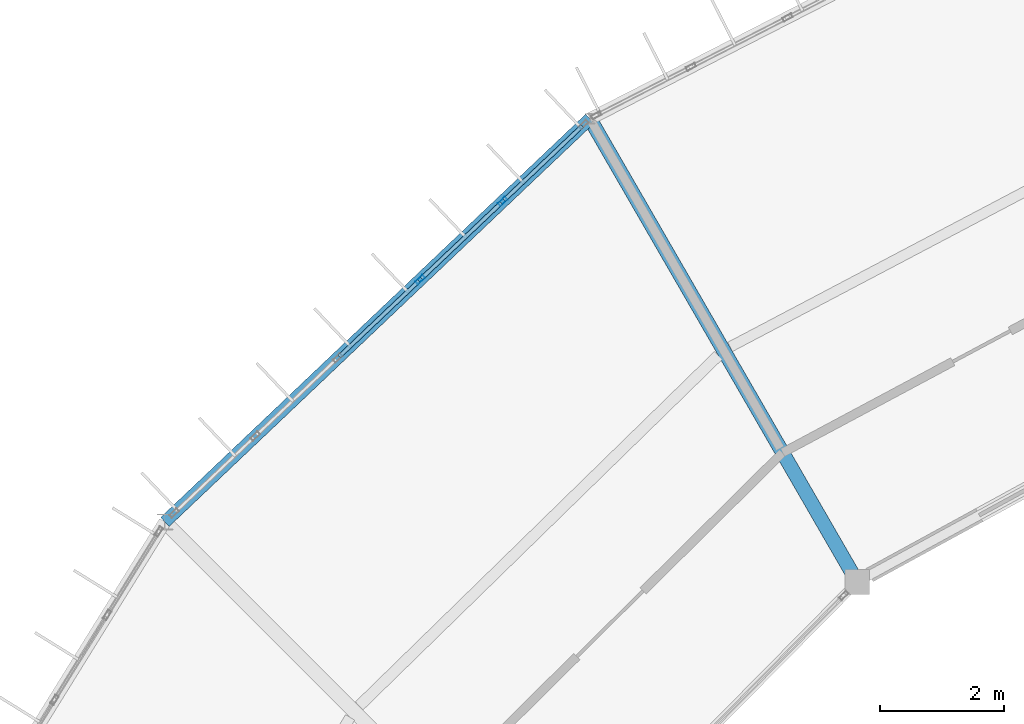
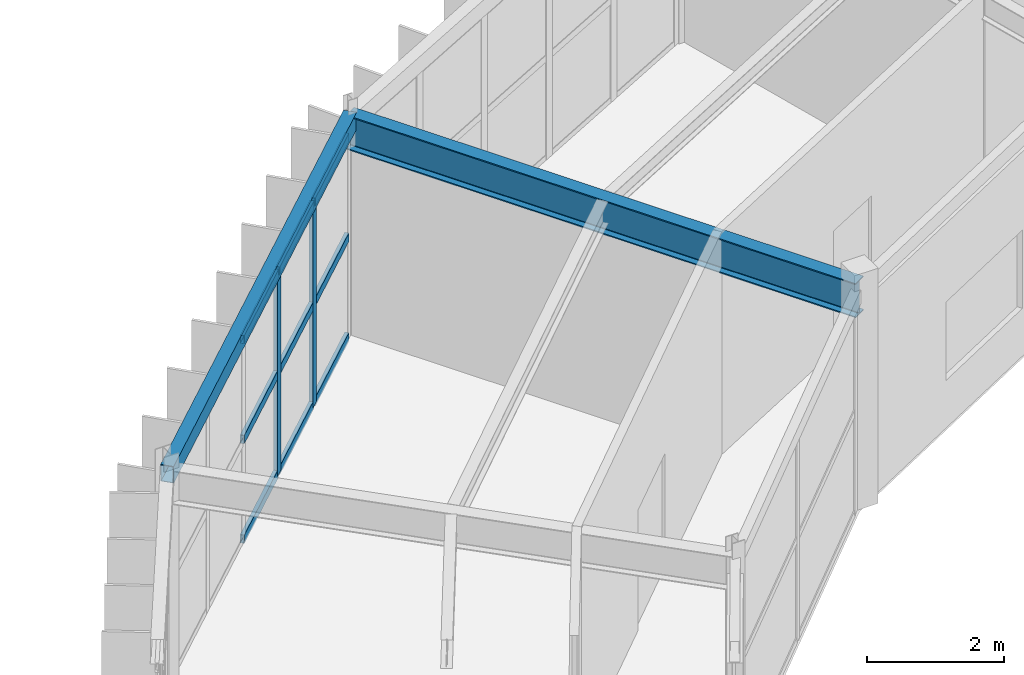
# One storey, part 89 of 157: 11 members, 2 beams, 1 element without a shape of its own.
"""IFC4 building model written with IfcOpenShell, lengths in metres."""

from ifc_helpers import new_model, si_unit, direction, frame, origin, origin_2d, place, context, subcontext, project, spatial, hollow_rectangle, i_section, extrude, material, material_profile, profile_set, type_object, element, aggregate, save


model = new_model("IFC4")

# Units and contexts
model_context = context("Model", 3, precision=1e-05, world=origin(), true_north=direction((0.0, 1.0)))
body_context = subcontext(model_context, "Body", "Model", "MODEL_VIEW")
ifc_project = project(units=[si_unit("LENGTHUNIT", "METRE"), si_unit("AREAUNIT", "SQUARE_METRE"), si_unit("VOLUMEUNIT", "CUBIC_METRE"), si_unit("PLANEANGLEUNIT", "RADIAN"), si_unit("MASSUNIT", "GRAM", prefix="KILO")], contexts=[model_context])

# Site, building, storey
site_placement = place(None, origin())
site = spatial("IfcSite", under=ifc_project, at=site_placement, CompositionType="ELEMENT")
building_placement = place(site_placement, origin())
building = spatial("IfcBuilding", under=site, at=building_placement, Name="Karori Crest Natural Sciences Institute", CompositionType="ELEMENT")
storey_placement = place(building_placement, frame((0.0, 0.0, 13.300048828125)))
storey = spatial("IfcBuildingStorey", under=building, at=storey_placement, Name="L03", CompositionType="ELEMENT", Elevation=13.300048828125)

# Beams
ifc_material_1 = material(Name="Structural steel AS/NZS 3679.1 Grade 350", Category="steel")
ifc_material_profile_1 = material_profile(ifc_material_1, i_section(OverallWidth=0.22900390625, OverallDepth=0.612060546875, WebThickness=0.011962890625, FlangeThickness=0.01953125, FilletRadius=0.013916015625, at=origin_2d()), Name="610UB125")
ifc_profile_set_1 = profile_set([ifc_material_profile_1], Name="Structural steel AS/NZS 3679.1 Grade 350")
beam_type_1 = type_object("IfcBeamType", Name="BT-04", PredefinedType="BEAM", material=ifc_profile_set_1)
beam_1_placement = place(storey_placement, frame((54.199951171875, 77.785888671875, 3.634033203125), z_axis=(-0.499995216735, 0.866028165386, 0.0), x_axis=(-0.866028165386, -0.499995216735, 0.0)))
element("IfcBeam", 1, at=beam_1_placement, inside=storey, type_object=beam_type_1, Name="Beam B-0393", PredefinedType="BEAM", context=body_context, shape_type="SweptSolid", body=[
    extrude(i_section(OverallWidth=0.22900390625, OverallDepth=0.612060546875, WebThickness=0.011962890625, FlangeThickness=0.01953125, FilletRadius=0.013916015625, at=origin_2d()), origin(), (0.0, 0.0, 1.0), 8.60009765625),
])
ifc_material_2 = material(Name="Hollow structural steel AS/NZS 1163 Grade C350", Category="steel")
ifc_material_profile_2 = material_profile(ifc_material_2, hollow_rectangle(XDim=0.199951171875, YDim=0.300048828125, WallThickness=0.010009765625, at=origin_2d()), Name="RHS300x200x10")
ifc_profile_set_2 = profile_set([ifc_material_profile_2], Name="Hollow structural steel AS/NZS 1163 Grade C350")
beam_type_2 = type_object("IfcBeamType", Name="BT-15", PredefinedType="SPANDREL", material=ifc_profile_set_2)
beam_2_placement = place(storey_placement, frame((49.89990234375, 85.23388671875, 3.7900390625), z_axis=(-0.72546900706, -0.688254836376, 0.0), x_axis=(0.688254836376, -0.72546900706, 0.0)))
element("IfcBeam", 2, at=beam_2_placement, inside=storey, type_object=beam_type_2, Name="Beam B-0391", PredefinedType="SPANDREL", context=body_context, shape_type="SweptSolid", body=[
    extrude(hollow_rectangle(XDim=0.199951171875, YDim=0.300048828125, WallThickness=0.010009765625, at=origin_2d()), origin(), (0.0, 0.0, 1.0), 9.420654296875),
])

# Curtain wall, members
ifc_material_3 = material(Name="Anodised architectural aluminium 6063-T6", Category="aluminium")
curtain_wall_type = type_object("IfcCurtainWallType", Name="CWT-09", PredefinedType="NOTDEFINED", material=ifc_material_3)
curtain_wall_placement = place(storey_placement, origin())
curtain_wall = element("IfcCurtainWall", 3, at=curtain_wall_placement, inside=storey, type_object=curtain_wall_type, Name="Curtain wall CW-0112", PredefinedType="NOTDEFINED")
ifc_material_profile_3 = material_profile(ifc_material_3, hollow_rectangle(XDim=0.06494140625, YDim=0.159912109375, WallThickness=0.00390625, at=origin_2d()), Name="CWM160x65x4")
ifc_profile_set_3 = profile_set([ifc_material_profile_3], Name="Anodised architectural aluminium 6063-T6")
member_type_1 = type_object("IfcMemberType", Name="CWM-01", PredefinedType="MULLION", material=ifc_profile_set_3)
member_1_placement = place(storey_placement, frame((47.17138671875, 82.645263671875, 0.0), z_axis=(0.0, 0.0, 1.0), x_axis=(-0.688250542104, 0.725473081026, 0.0)))
member_1 = element("IfcMember", 4, at=member_1_placement, type_object=member_type_1, Name="CW-0112 mullion 4", PredefinedType="MULLION", context=body_context, shape_type="SweptSolid", body=[
    extrude(hollow_rectangle(XDim=0.06494140625, YDim=0.159912109375, WallThickness=0.00390625, at=origin_2d()), origin(), (0.0, 0.0, 1.0), 3.625),
])
member_2_placement = place(storey_placement, frame((48.498046875, 83.90380859375, 0.0), z_axis=(0.0, 0.0, 1.0), x_axis=(-0.688250542104, 0.725473081026, 0.0)))
member_2 = element("IfcMember", 5, at=member_2_placement, type_object=member_type_1, Name="CW-0112 mullion 5", PredefinedType="MULLION", context=body_context, shape_type="SweptSolid", body=[
    extrude(hollow_rectangle(XDim=0.06494140625, YDim=0.159912109375, WallThickness=0.00390625, at=origin_2d()), origin(), (0.0, 0.0, 1.0), 3.625),
])
ifc_material_profile_4 = material_profile(ifc_material_3, hollow_rectangle(XDim=0.06494140625, YDim=0.14990234375, WallThickness=0.00390625, at=origin_2d()), Name="CWT150x65x4")
ifc_profile_set_4 = profile_set([ifc_material_profile_4], Name="Anodised architectural aluminium 6063-T6")
member_type_2 = type_object("IfcMemberType", Name="CWT-TR2", PredefinedType="USERDEFINED", material=ifc_profile_set_4)
member_3_placement = place(storey_placement, frame((45.86865234375, 81.4091796875, 0.032470703125), z_axis=(0.725414069786, 0.688312739499, 0.0), x_axis=(-0.688312739499, 0.725414069786, 0.0)))
member_3 = element("IfcMember", 6, at=member_3_placement, type_object=member_type_2, Name="CW-0112 transom 3.1", ObjectType="TRANSOM", PredefinedType="USERDEFINED", context=body_context, shape_type="SweptSolid", body=[
    extrude(hollow_rectangle(XDim=0.06494140625, YDim=0.14990234375, WallThickness=0.00390625, at=origin_2d()), origin(), (0.0, 0.0, 1.0), 1.763427734375),
])
member_4_placement = place(storey_placement, frame((45.86865234375, 81.4091796875, 1.8125), z_axis=(0.725414069786, 0.688312739499, 0.0), x_axis=(-0.688312739499, 0.725414069786, 0.0)))
member_4 = element("IfcMember", 7, at=member_4_placement, type_object=member_type_2, Name="CW-0112 transom 3.2", ObjectType="TRANSOM", PredefinedType="USERDEFINED", context=body_context, shape_type="SweptSolid", body=[
    extrude(hollow_rectangle(XDim=0.06494140625, YDim=0.14990234375, WallThickness=0.00390625, at=origin_2d()), origin(), (0.0, 0.0, 1.0), 1.763427734375),
])
member_5_placement = place(storey_placement, frame((45.86865234375, 81.4091796875, 3.592529296875), z_axis=(0.725414069786, 0.688312739499, 0.0), x_axis=(-0.688312739499, 0.725414069786, 0.0)))
member_5 = element("IfcMember", 8, at=member_5_placement, type_object=member_type_2, Name="CW-0112 transom 3.3", ObjectType="TRANSOM", PredefinedType="USERDEFINED", context=body_context, shape_type="SweptSolid", body=[
    extrude(hollow_rectangle(XDim=0.06494140625, YDim=0.14990234375, WallThickness=0.00390625, at=origin_2d()), origin(), (0.0, 0.0, 1.0), 1.763427734375),
])
member_6_placement = place(storey_placement, frame((47.195068359375, 82.667724609375, 0.032470703125), z_axis=(0.725483196334, 0.688239879575, 0.0), x_axis=(-0.688239879575, 0.725483196334, 0.0)))
member_6 = element("IfcMember", 9, at=member_6_placement, type_object=member_type_2, Name="CW-0112 transom 4.1", ObjectType="TRANSOM", PredefinedType="USERDEFINED", context=body_context, shape_type="SweptSolid", body=[
    extrude(hollow_rectangle(XDim=0.06494140625, YDim=0.14990234375, WallThickness=0.00390625, at=origin_2d()), origin(), (0.0, 0.0, 1.0), 1.763427734375),
])
member_7_placement = place(storey_placement, frame((47.195068359375, 82.667724609375, 1.8125), z_axis=(0.725483196334, 0.688239879575, 0.0), x_axis=(-0.688239879575, 0.725483196334, 0.0)))
member_7 = element("IfcMember", 10, at=member_7_placement, type_object=member_type_2, Name="CW-0112 transom 4.2", ObjectType="TRANSOM", PredefinedType="USERDEFINED", context=body_context, shape_type="SweptSolid", body=[
    extrude(hollow_rectangle(XDim=0.06494140625, YDim=0.14990234375, WallThickness=0.00390625, at=origin_2d()), origin(), (0.0, 0.0, 1.0), 1.763427734375),
])
member_8_placement = place(storey_placement, frame((47.195068359375, 82.667724609375, 3.592529296875), z_axis=(0.725483196334, 0.688239879575, 0.0), x_axis=(-0.688239879575, 0.725483196334, 0.0)))
member_8 = element("IfcMember", 11, at=member_8_placement, type_object=member_type_2, Name="CW-0112 transom 4.3", ObjectType="TRANSOM", PredefinedType="USERDEFINED", context=body_context, shape_type="SweptSolid", body=[
    extrude(hollow_rectangle(XDim=0.06494140625, YDim=0.14990234375, WallThickness=0.00390625, at=origin_2d()), origin(), (0.0, 0.0, 1.0), 1.763427734375),
])
member_9_placement = place(storey_placement, frame((48.521484375, 83.926025390625, 0.032470703125), z_axis=(0.725478143339, 0.688245205967, 0.0), x_axis=(-0.688245205967, 0.725478143339, 0.0)))
member_9 = element("IfcMember", 12, at=member_9_placement, type_object=member_type_2, Name="CW-0112 transom 5.1", ObjectType="TRANSOM", PredefinedType="USERDEFINED", context=body_context, shape_type="SweptSolid", body=[
    extrude(hollow_rectangle(XDim=0.06494140625, YDim=0.14990234375, WallThickness=0.00390625, at=origin_2d()), origin(), (0.0, 0.0, 1.0), 1.73095703125),
])
member_10_placement = place(storey_placement, frame((48.521484375, 83.926025390625, 1.8125), z_axis=(0.725478143339, 0.688245205967, 0.0), x_axis=(-0.688245205967, 0.725478143339, 0.0)))
member_10 = element("IfcMember", 13, at=member_10_placement, type_object=member_type_2, Name="CW-0112 transom 5.2", ObjectType="TRANSOM", PredefinedType="USERDEFINED", context=body_context, shape_type="SweptSolid", body=[
    extrude(hollow_rectangle(XDim=0.06494140625, YDim=0.14990234375, WallThickness=0.00390625, at=origin_2d()), origin(), (0.0, 0.0, 1.0), 1.73095703125),
])
member_11_placement = place(storey_placement, frame((48.521484375, 83.926025390625, 3.592529296875), z_axis=(0.725478143339, 0.688245205967, 0.0), x_axis=(-0.688245205967, 0.725478143339, 0.0)))
member_11 = element("IfcMember", 14, at=member_11_placement, type_object=member_type_2, Name="CW-0112 transom 5.3", ObjectType="TRANSOM", PredefinedType="USERDEFINED", context=body_context, shape_type="SweptSolid", body=[
    extrude(hollow_rectangle(XDim=0.06494140625, YDim=0.14990234375, WallThickness=0.00390625, at=origin_2d()), origin(), (0.0, 0.0, 1.0), 1.73095703125),
])
aggregate(curtain_wall, [member_1, member_2, member_3, member_4, member_5, member_6, member_7, member_8, member_9, member_10, member_11])

save(model, "model.ifc")
